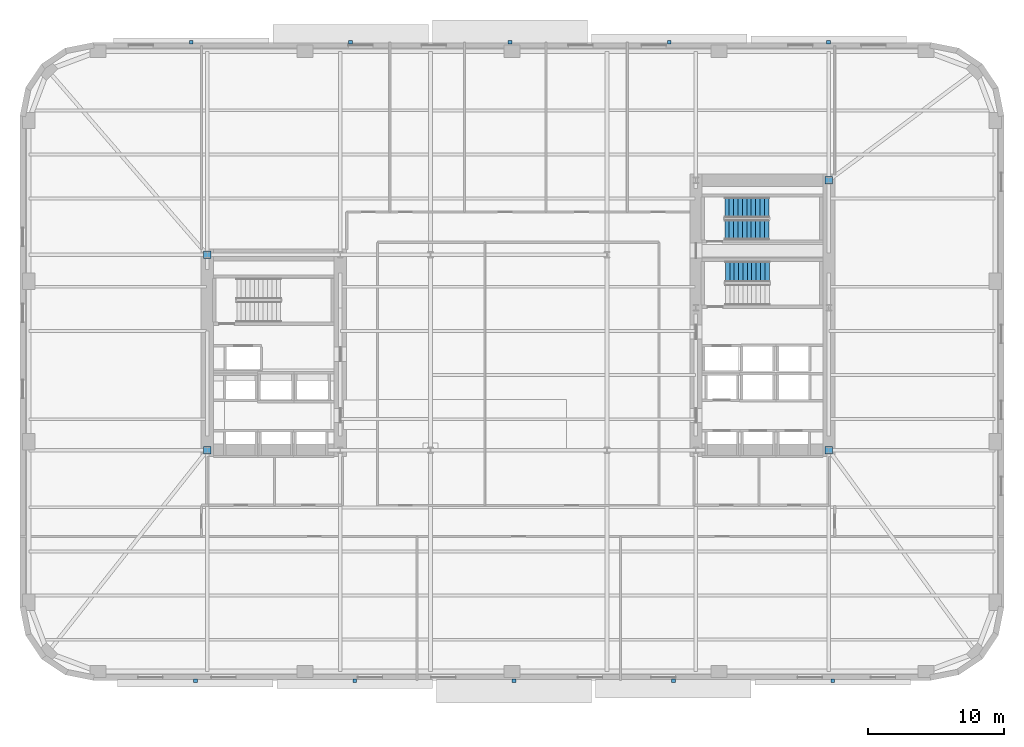
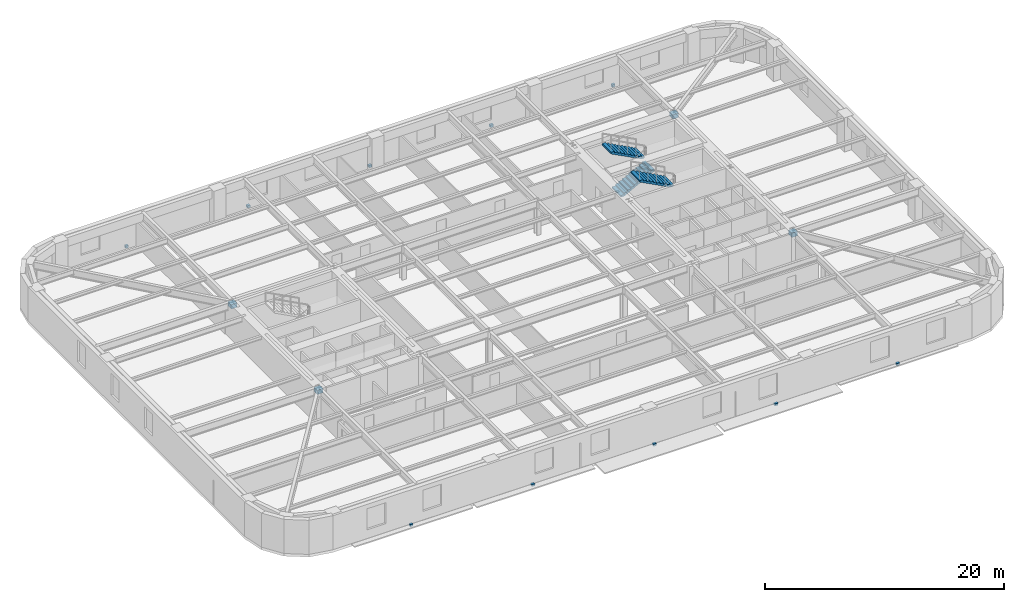
# One storey, part 8 of 14: 14 discrete accessories, 3 stair flights, 2 elements without a shape of their own.
"""IFC4 building model written with IfcOpenShell, lengths in metres."""

from ifc_helpers import new_model, si_unit, direction, frame, origin, origin_2d, place, context, subcontext, project, spatial, polyline, rectangle, outline, extrude, material, type_object, element, aggregate, save


model = new_model("IFC4")

# Units and contexts
model_context = context("Model", 3, precision=1e-05, world=origin(), true_north=direction((0.0, 1.0)))
body_context = subcontext(model_context, "Body", "Model", "MODEL_VIEW")
ifc_project = project(units=[si_unit("LENGTHUNIT", "METRE"), si_unit("AREAUNIT", "SQUARE_METRE"), si_unit("VOLUMEUNIT", "CUBIC_METRE"), si_unit("PLANEANGLEUNIT", "RADIAN"), si_unit("MASSUNIT", "GRAM", prefix="KILO")], contexts=[model_context])

# Site, building, storey
site_placement = place(None, origin())
site = spatial("IfcSite", under=ifc_project, at=site_placement, CompositionType="ELEMENT")
building_placement = place(site_placement, origin())
building = spatial("IfcBuilding", under=site, at=building_placement, Name="Kolvaren Arena Tower", CompositionType="ELEMENT")
storey_placement = place(building_placement, frame((0.0, 0.0, 53.25)))
storey = spatial("IfcBuildingStorey", under=building, at=storey_placement, Name="L10", CompositionType="ELEMENT", Elevation=53.25)

# Stair, stair flights
ifc_material_1 = material(Name="Concrete 45 MPa", Category="concrete")
stair_type_1 = type_object("IfcStairType", Name="STAIR-CORE-150", PredefinedType="HALF_TURN_STAIR", material=ifc_material_1)
stair_1_placement = place(storey_placement, origin())
stair_1 = element("IfcStair", 1, at=stair_1_placement, inside=storey, type_object=stair_type_1, Name="L10 ST-E2", PredefinedType="HALF_TURN_STAIR")
stair_flight_type_1 = type_object("IfcStairFlightType", Name="FLT-150", PredefinedType="STRAIGHT", material=ifc_material_1)
stair_flight_1_placement = place(storey_placement, frame((52.679931640625, 35.699951171875, 0.0), z_axis=(0.0, 0.0, 1.0), x_axis=(1.0, 0.0, 0.0)))
stair_flight_1 = element("IfcStairFlight", 2, at=stair_flight_1_placement, type_object=stair_flight_type_1, Name="ST-E2 flight 1", NumberOfRisers=11, NumberOfTreads=10, PredefinedType="STRAIGHT", RiserHeight=0.170454545, TreadLength=0.324, context=body_context, shape_type="SweptSolid", body=[
    extrude(outline(polyline([(0.0, 0.0), (0.0, 0.17041015625), (0.323974609375, 0.17041015625), (0.323974609375, 0.3408203125), (0.64794921875, 0.3408203125), (0.64794921875, 0.511474609375), (0.971923828125, 0.511474609375), (0.971923828125, 0.681884765625), (1.2958984375, 0.681884765625), (1.2958984375, 0.852294921875), (1.6201171875, 0.852294921875), (1.6201171875, 1.022705078125), (1.944091796875, 1.022705078125), (1.944091796875, 1.193115234375), (2.26806640625, 1.193115234375), (2.26806640625, 1.363525390625), (2.592041015625, 1.363525390625), (2.592041015625, 1.5341796875), (2.916015625, 1.5341796875), (2.916015625, 1.70458984375), (3.239990234375, 1.70458984375), (3.239990234375, 1.875), (3.239990234375, 1.53515625), (0.322021484375, 0.0), (0.0, 0.0)])), frame((0.0, 0.75, 0.0), z_axis=(0.0, -1.0, 0.0), x_axis=(1.0, 0.0, 0.0)), (0.0, 0.0, 1.0), 1.5),
])
stair_flight_2_placement = place(storey_placement, frame((55.919921875, 37.35009765625, 1.875), z_axis=(0.0, 0.0, 1.0), x_axis=(-1.0, 0.0, 0.0)))
stair_flight_2 = element("IfcStairFlight", 3, at=stair_flight_2_placement, type_object=stair_flight_type_1, Name="ST-E2 flight 2", NumberOfRisers=11, NumberOfTreads=10, PredefinedType="STRAIGHT", RiserHeight=0.170454545, TreadLength=0.324, context=body_context, shape_type="SweptSolid", body=[
    extrude(outline(polyline([(0.0, 0.0), (0.0, 0.17041015625), (0.323974609375, 0.17041015625), (0.323974609375, 0.3408203125), (0.64794921875, 0.3408203125), (0.64794921875, 0.511474609375), (0.971923828125, 0.511474609375), (0.971923828125, 0.681884765625), (1.2958984375, 0.681884765625), (1.2958984375, 0.852294921875), (1.6201171875, 0.852294921875), (1.6201171875, 1.022705078125), (1.944091796875, 1.022705078125), (1.944091796875, 1.193115234375), (2.26806640625, 1.193115234375), (2.26806640625, 1.363525390625), (2.592041015625, 1.363525390625), (2.592041015625, 1.5341796875), (2.916015625, 1.5341796875), (2.916015625, 1.70458984375), (3.239990234375, 1.70458984375), (3.239990234375, 1.875), (3.239990234375, 1.53515625), (0.322021484375, 0.0), (0.0, 0.0)])), frame((0.0, 0.75, 0.0), z_axis=(0.0, -1.0, 0.0), x_axis=(1.0, 0.0, 0.0)), (0.0, 0.0, 1.0), 1.5),
])
aggregate(stair_1, [stair_flight_1, stair_flight_2])

# Stair, stair flight
stair_type_2 = type_object("IfcStairType", Name="STAIR-CORE-165", PredefinedType="HALF_TURN_STAIR", material=ifc_material_1)
stair_2_placement = place(storey_placement, origin())
stair_2 = element("IfcStair", 4, at=stair_2_placement, inside=storey, type_object=stair_type_2, Name="L10 ST-E1", PredefinedType="HALF_TURN_STAIR")
stair_flight_type_2 = type_object("IfcStairFlightType", Name="FLT-165", PredefinedType="STRAIGHT", material=ifc_material_1)
stair_flight_3_placement = place(storey_placement, frame((55.9599609375, 32.610107421875, 1.875), z_axis=(0.0, 0.0, 1.0), x_axis=(-1.0, 0.0, 0.0)))
stair_flight_3 = element("IfcStairFlight", 5, at=stair_flight_3_placement, type_object=stair_flight_type_2, Name="ST-E1 flight 2", NumberOfRisers=11, NumberOfTreads=10, PredefinedType="STRAIGHT", RiserHeight=0.170454545, TreadLength=0.324, context=body_context, shape_type="SweptSolid", body=[
    extrude(outline(polyline([(0.0, 0.0), (0.0, 0.17041015625), (0.323974609375, 0.17041015625), (0.323974609375, 0.3408203125), (0.64794921875, 0.3408203125), (0.64794921875, 0.511474609375), (0.971923828125, 0.511474609375), (0.971923828125, 0.681884765625), (1.2958984375, 0.681884765625), (1.2958984375, 0.852294921875), (1.6201171875, 0.852294921875), (1.6201171875, 1.022705078125), (1.944091796875, 1.022705078125), (1.944091796875, 1.193115234375), (2.26806640625, 1.193115234375), (2.26806640625, 1.363525390625), (2.592041015625, 1.363525390625), (2.592041015625, 1.5341796875), (2.916015625, 1.5341796875), (2.916015625, 1.70458984375), (3.239990234375, 1.70458984375), (3.239990234375, 1.875), (3.239990234375, 1.53515625), (0.322021484375, 0.0), (0.0, 0.0)])), frame((0.0, 0.77001953125, 0.0), z_axis=(0.0, -1.0, 0.0), x_axis=(1.0, 0.0, 0.0)), (0.0, 0.0, 1.0), 1.5400390625),
])
aggregate(stair_2, [stair_flight_3])

# Discrete accessories
ifc_material_2 = material(Name="Stainless steel facade support bracket", Category="steel")
discrete_accessory_type_1 = type_object("IfcDiscreteAccessoryType", Name="ACC-BRKT-1", PredefinedType="BRACKET", material=ifc_material_2)
for number, where, z_axis, x_axis, name in (
    (6, (13.3701171875, 49.52001953125, -0.18017578125), (0.0, 0.0, 1.0), (1.0, 0.0, 0.0), "Sunshade Support Bracket (L10)"),
    (7, (25.110107421875, 49.52001953125, -0.18017578125), (0.0, 0.0, 1.0), (1.0, 0.0, 0.0), "Sunshade Support Bracket (L10)"),
    (8, (36.85009765625, 49.52001953125, -0.18017578125), (0.0, 0.0, 1.0), (1.0, 0.0, 0.0), "Sunshade Support Bracket (L10)"),
    (9, (48.590087890625, 49.52001953125, -0.18017578125), (0.0, 0.0, 1.0), (1.0, 0.0, 0.0), "Sunshade Support Bracket (L10)"),
    (10, (60.330078125, 49.52001953125, -0.18017578125), (0.0, 0.0, 1.0), (1.0, 0.0, 0.0), "Sunshade Support Bracket (L10)"),
    (11, (60.6298828125, 2.47998046875, -0.18017578125), (0.0, 0.0, 1.0), (-1.0, 0.0, 0.0), "Sunshade Support Bracket (L10)"),
    (12, (48.889892578125, 2.47998046875, -0.18017578125), (0.0, 0.0, 1.0), (-1.0, 0.0, 0.0), "Sunshade Support Bracket (L10)"),
    (13, (37.14990234375, 2.47998046875, -0.18017578125), (0.0, 0.0, 1.0), (-1.0, 0.0, 0.0), "Sunshade Support Bracket (L10)"),
    (14, (25.409912109375, 2.47998046875, -0.18017578125), (0.0, 0.0, 1.0), (-1.0, 0.0, 0.0), "Sunshade Support Bracket (L10)"),
    (15, (13.669921875, 2.47998046875, -0.18017578125), (0.0, 0.0, 1.0), (-1.0, 0.0, 0.0), "Sunshade Support Bracket (L10)"),
):
    element("IfcDiscreteAccessory", number, at=place(storey_placement, frame(where, z_axis=z_axis, x_axis=x_axis)), inside=storey, type_object=discrete_accessory_type_1, Name=name, PredefinedType="BRACKET", context=body_context, shape_type="SweptSolid", body=[
        extrude(rectangle(XDim=0.280029296875, YDim=0.239990234375, at=origin_2d()), origin(), (0.0, 0.0, 1.0), 0.239990234375),
    ])
ifc_material_3 = material(Name="Steel CSA G40.21 350W bolted gusset connection", Category="steel")
discrete_accessory_type_2 = type_object("IfcDiscreteAccessoryType", Name="ACC-CONN-1", PredefinedType="BRACKET", material=ifc_material_3)
for number, where, z_axis, x_axis, name in (
    (16, (60.35009765625, 19.449951171875, 2.87353515625), (0.0, 0.0, 1.0), (1.0, 0.0, 0.0), "Core Wall Cast-In Embed Plate EP1 (L10)"),
    (17, (60.35009765625, 39.35009765625, 2.87353515625), (0.0, 0.0, 1.0), (1.0, 0.0, 0.0), "Core Wall Cast-In Embed Plate EP1 (L10)"),
    (18, (14.550048828125, 33.85009765625, 2.87353515625), (0.0, 0.0, 1.0), (1.0, 0.0, 0.0), "Core Wall Cast-In Embed Plate EP1 (L10)"),
    (19, (14.550048828125, 19.449951171875, 2.87353515625), (0.0, 0.0, 1.0), (1.0, 0.0, 0.0), "Core Wall Cast-In Embed Plate EP1 (L10)"),
):
    element("IfcDiscreteAccessory", number, at=place(storey_placement, frame(where, z_axis=z_axis, x_axis=x_axis)), inside=storey, type_object=discrete_accessory_type_2, Name=name, PredefinedType="BRACKET", context=body_context, shape_type="SweptSolid", body=[
        extrude(rectangle(XDim=0.56005859375, YDim=0.56005859375, at=origin_2d()), origin(), (0.0, 0.0, 1.0), 0.43994140625),
    ])

save(model, "model.ifc")
